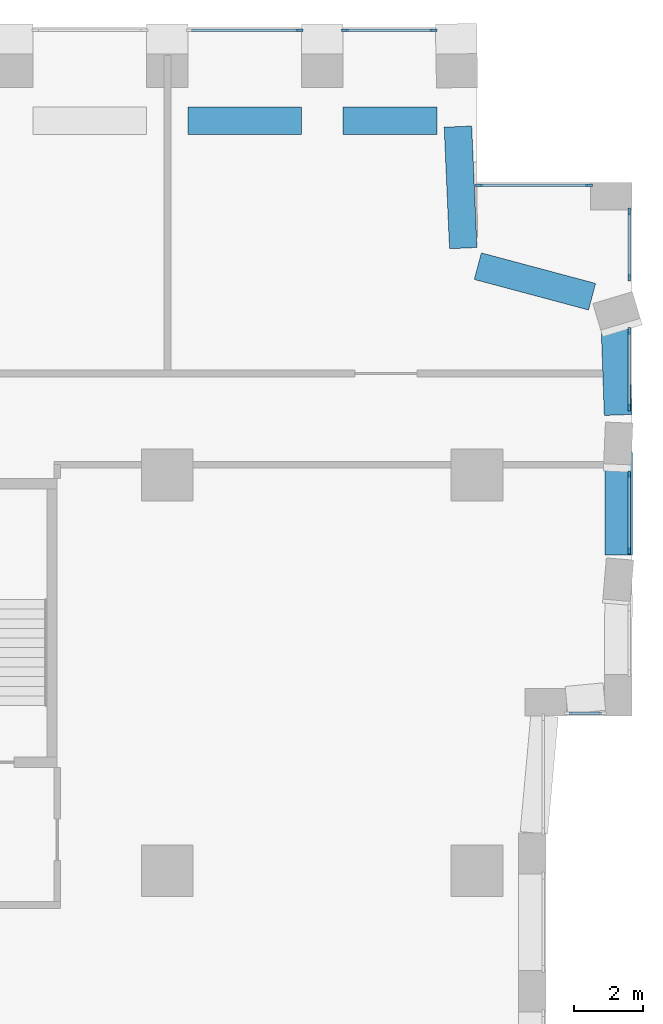
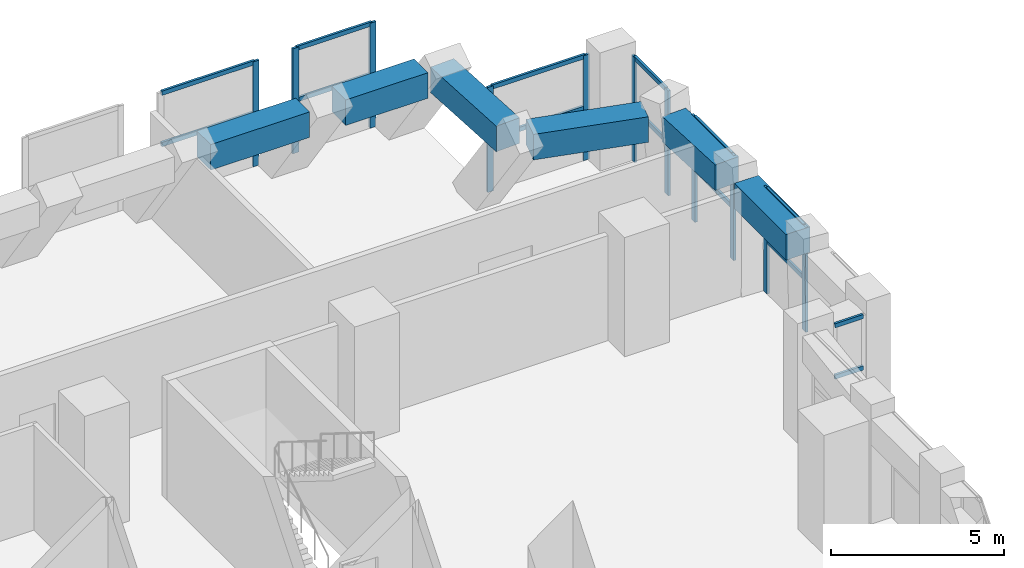
# One storey, part 11 of 20: 25 members, 6 beams, 7 elements without a shape of their own.
"""IFC4 building model written with IfcOpenShell, lengths in metres."""

from ifc_helpers import new_model, si_unit, direction, frame, origin, origin_2d, place, context, subcontext, project, spatial, rectangle, extrude, material, layer, layer_set, material_profile, profile_set, type_object, element, aggregate, save


model = new_model("IFC4")

# Units and contexts
model_context = context("Model", 3, precision=1e-05, world=origin(), true_north=direction((0.0, 1.0)))
body_context = subcontext(model_context, "Body", "Model", "MODEL_VIEW")
ifc_project = project(units=[si_unit("LENGTHUNIT", "METRE"), si_unit("AREAUNIT", "SQUARE_METRE"), si_unit("VOLUMEUNIT", "CUBIC_METRE"), si_unit("PLANEANGLEUNIT", "RADIAN"), si_unit("MASSUNIT", "GRAM", prefix="KILO")], contexts=[model_context])

# Site, building, storey
site_placement = place(None, origin())
site = spatial("IfcSite", under=ifc_project, at=site_placement, CompositionType="ELEMENT")
building_placement = place(site_placement, origin())
building = spatial("IfcBuilding", under=site, at=building_placement, Name="Brigalow Station Residences", CompositionType="ELEMENT")
storey_placement = place(building_placement, frame((0.0, 0.0, 73.050048828125)))
storey = spatial("IfcBuildingStorey", under=building, at=storey_placement, Name="L21", CompositionType="ELEMENT", Elevation=73.050048828125)

# Beams
ifc_material_1 = material(Name="Concrete C65", Category="concrete")
ifc_material_profile_1 = material_profile(ifc_material_1, rectangle(XDim=0.800048828125, YDim=0.89990234375, at=origin_2d()), Name="RC800x900")
ifc_profile_set_1 = profile_set([ifc_material_profile_1], Name="Concrete C65")
beam_type = type_object("IfcBeamType", Name="KINK TIE BEAM 800x900 C65", PredefinedType="BEAM", material=ifc_profile_set_1)
beam_1_placement = place(storey_placement, frame((76.119384765625, 33.173095703125, 3.25), z_axis=(0.0, 1.0, 0.0), x_axis=(-1.0, 0.0, 0.0)))
element("IfcBeam", 1, at=beam_1_placement, inside=storey, type_object=beam_type, Name="KINK TIE BEAM 16 L21", PredefinedType="BEAM", context=body_context, shape_type="SweptSolid", body=[
    extrude(rectangle(XDim=0.800048828125, YDim=0.89990234375, at=origin_2d()), origin(), (0.0, 0.0, 1.0), 2.984375),
])
beam_2_placement = place(storey_placement, frame((76.10009765625, 37.24560546875, 3.25), z_axis=(-0.035501134168, 0.999369636057, 0.0), x_axis=(-0.999369636057, -0.035501134168, 0.0)))
element("IfcBeam", 2, at=beam_2_placement, inside=storey, type_object=beam_type, Name="KINK TIE BEAM 17 L21", PredefinedType="BEAM", context=body_context, shape_type="SweptSolid", body=[
    extrude(rectangle(XDim=0.800048828125, YDim=0.89990234375, at=origin_2d()), origin(), (0.0, 0.0, 1.0), 2.88134765625),
])
beam_3_placement = place(storey_placement, frame((75.344970703125, 40.6826171875, 3.25), z_axis=(-0.966079157229, 0.258246126723, 0.0), x_axis=(-0.258246126723, -0.966079157229, 0.0)))
element("IfcBeam", 3, at=beam_3_placement, inside=storey, type_object=beam_type, Name="KINK TIE BEAM 18 L21", PredefinedType="BEAM", context=body_context, shape_type="SweptSolid", body=[
    extrude(rectangle(XDim=0.800048828125, YDim=0.89990234375, at=origin_2d()), origin(), (0.0, 0.0, 1.0), 3.4375),
])
beam_4_placement = place(storey_placement, frame((71.60107421875, 42.09423828125, 3.25), z_axis=(-0.043775812751, 0.999041379633, 0.0), x_axis=(-0.999041379633, -0.043775812751, 0.0)))
element("IfcBeam", 4, at=beam_4_placement, inside=storey, type_object=beam_type, Name="KINK TIE BEAM 19 L21", PredefinedType="BEAM", context=body_context, shape_type="SweptSolid", body=[
    extrude(rectangle(XDim=0.800048828125, YDim=0.89990234375, at=origin_2d()), origin(), (0.0, 0.0, 1.0), 3.535888671875),
])
beam_5_placement = place(storey_placement, frame((70.838623046875, 45.7978515625, 3.25), z_axis=(-1.0, 0.0, 0.0), x_axis=(0.0, -1.0, 0.0)))
element("IfcBeam", 5, at=beam_5_placement, inside=storey, type_object=beam_type, Name="KINK TIE BEAM 20 L21", PredefinedType="BEAM", context=body_context, shape_type="SweptSolid", body=[
    extrude(rectangle(XDim=0.800048828125, YDim=0.89990234375, at=origin_2d()), origin(), (0.0, 0.0, 1.0), 2.738525390625),
])
beam_6_placement = place(storey_placement, frame((66.89990234375, 45.7978515625, 3.25), z_axis=(-1.0, 0.0, 0.0), x_axis=(0.0, -1.0, 0.0)))
element("IfcBeam", 6, at=beam_6_placement, inside=storey, type_object=beam_type, Name="KINK TIE BEAM 21 L21", PredefinedType="BEAM", context=body_context, shape_type="SweptSolid", body=[
    extrude(rectangle(XDim=0.800048828125, YDim=0.89990234375, at=origin_2d()), origin(), (0.0, 0.0, 1.0), 3.2998046875),
])

# Curtain wall, members
ifc_material_2 = material(Name="Aluminium", Category="aluminium")
ifc_layer = layer(ifc_material_2, 0.199951171875)
ifc_layer_set = layer_set([ifc_layer], Name="REFUGE FLOOR LOUVRE CURTAIN WALL")
curtain_wall_type = type_object("IfcCurtainWallType", Name="REFUGE FLOOR LOUVRE CURTAIN WALL", PredefinedType="NOTDEFINED", material=ifc_layer_set)
curtain_wall_1_placement = place(storey_placement, origin())
curtain_wall_1 = element("IfcCurtainWall", 7, at=curtain_wall_1_placement, inside=storey, type_object=curtain_wall_type, Name="L21/cw/louvre-W-L21-19-19", PredefinedType="NOTDEFINED")
ifc_material_3 = material(Name="Aluminium", Category="aluminium")
ifc_material_profile_2 = material_profile(ifc_material_3, rectangle(XDim=0.080078125, YDim=0.199951171875, at=origin_2d()), Name="REFUGE FLOOR LOUVRE MULLION 80x200")
ifc_profile_set_2 = profile_set([ifc_material_profile_2], Name="Aluminium")
member_type_1 = type_object("IfcMemberType", Name="REFUGE FLOOR LOUVRE MULLION 80x200", PredefinedType="MULLION", material=ifc_profile_set_2)
member_1_placement = place(storey_placement, frame((76.425048828125, 33.299072265625, 0.0), z_axis=(0.0, 0.0, 1.0), x_axis=(-1.0, 0.0, 0.0)))
member_1 = element("IfcMember", 8, at=member_1_placement, type_object=member_type_1, Name="L21/cw/louvre-W-L21-19-19/M00", PredefinedType="MULLION", context=body_context, shape_type="SweptSolid", body=[
    extrude(rectangle(XDim=0.080078125, YDim=0.199951171875, at=origin_2d()), origin(), (0.0, 0.0, 1.0), 3.699951171875),
])
member_2_placement = place(storey_placement, frame((76.425048828125, 35.5234375, 0.0), z_axis=(0.0, 0.0, 1.0), x_axis=(-1.0, 0.0, 0.0)))
member_2 = element("IfcMember", 9, at=member_2_placement, type_object=member_type_1, Name="L21/cw/louvre-W-L21-19-19/M01", PredefinedType="MULLION", context=body_context, shape_type="SweptSolid", body=[
    extrude(rectangle(XDim=0.080078125, YDim=0.199951171875, at=origin_2d()), origin(), (0.0, 0.0, 1.0), 3.699951171875),
])

curtain_wall_2_placement = place(storey_placement, origin())
curtain_wall_2 = element("IfcCurtainWall", 10, at=curtain_wall_2_placement, inside=storey, type_object=curtain_wall_type, Name="L21/cw/louvre-W-L21-19-20", PredefinedType="NOTDEFINED")
member_3_placement = place(storey_placement, frame((76.425048828125, 37.46337890625, 0.0), z_axis=(0.0, 0.0, 1.0), x_axis=(-1.0, 0.0, 0.0)))
member_3 = element("IfcMember", 11, at=member_3_placement, type_object=member_type_1, Name="L21/cw/louvre-W-L21-19-20/M00", PredefinedType="MULLION", context=body_context, shape_type="SweptSolid", body=[
    extrude(rectangle(XDim=0.080078125, YDim=0.199951171875, at=origin_2d()), origin(), (0.0, 0.0, 1.0), 3.699951171875),
])
member_4_placement = place(storey_placement, frame((76.425048828125, 39.68896484375, 0.0), z_axis=(0.0, 0.0, 1.0), x_axis=(-1.0, 0.0, 0.0)))
member_4 = element("IfcMember", 12, at=member_4_placement, type_object=member_type_1, Name="L21/cw/louvre-W-L21-19-20/M01", PredefinedType="MULLION", context=body_context, shape_type="SweptSolid", body=[
    extrude(rectangle(XDim=0.080078125, YDim=0.199951171875, at=origin_2d()), origin(), (0.0, 0.0, 1.0), 3.699951171875),
])

curtain_wall_3_placement = place(storey_placement, origin())
curtain_wall_3 = element("IfcCurtainWall", 13, at=curtain_wall_3_placement, inside=storey, type_object=curtain_wall_type, Name="L21/cw/louvre-W-L21-19-21", PredefinedType="NOTDEFINED")
member_5_placement = place(storey_placement, frame((76.425048828125, 41.236083984375, 0.0), z_axis=(0.0, 0.0, 1.0), x_axis=(-1.0, 0.0, 0.0)))
member_5 = element("IfcMember", 14, at=member_5_placement, type_object=member_type_1, Name="L21/cw/louvre-W-L21-19-21/M00", PredefinedType="MULLION", context=body_context, shape_type="SweptSolid", body=[
    extrude(rectangle(XDim=0.080078125, YDim=0.199951171875, at=origin_2d()), origin(), (0.0, 0.0, 1.0), 3.699951171875),
])
member_6_placement = place(storey_placement, frame((76.425048828125, 43.159912109375, 0.0), z_axis=(0.0, 0.0, 1.0), x_axis=(-1.0, 0.0, 0.0)))
member_6 = element("IfcMember", 15, at=member_6_placement, type_object=member_type_1, Name="L21/cw/louvre-W-L21-19-21/M01", PredefinedType="MULLION", context=body_context, shape_type="SweptSolid", body=[
    extrude(rectangle(XDim=0.080078125, YDim=0.199951171875, at=origin_2d()), origin(), (0.0, 0.0, 1.0), 3.699951171875),
])

curtain_wall_4_placement = place(storey_placement, origin())
curtain_wall_4 = element("IfcCurtainWall", 16, at=curtain_wall_4_placement, inside=storey, type_object=curtain_wall_type, Name="L21/cw/louvre-W-L21-23-22", PredefinedType="NOTDEFINED")
member_7_placement = place(storey_placement, frame((75.260009765625, 43.925048828125, 0.0), z_axis=(0.0, 0.0, 1.0), x_axis=(0.0, -1.0, 0.0)))
member_7 = element("IfcMember", 17, at=member_7_placement, type_object=member_type_1, Name="L21/cw/louvre-W-L21-23-22/M00", PredefinedType="MULLION", context=body_context, shape_type="SweptSolid", body=[
    extrude(rectangle(XDim=0.080078125, YDim=0.199951171875, at=origin_2d()), origin(), (0.0, 0.0, 1.0), 3.699951171875),
])
member_8_placement = place(storey_placement, frame((72.060546875, 43.925048828125, 0.0), z_axis=(0.0, 0.0, 1.0), x_axis=(0.0, -1.0, 0.0)))
member_8 = element("IfcMember", 18, at=member_8_placement, type_object=member_type_1, Name="L21/cw/louvre-W-L21-23-22/M01", PredefinedType="MULLION", context=body_context, shape_type="SweptSolid", body=[
    extrude(rectangle(XDim=0.080078125, YDim=0.199951171875, at=origin_2d()), origin(), (0.0, 0.0, 1.0), 3.699951171875),
])

curtain_wall_5_placement = place(storey_placement, origin())
curtain_wall_5 = element("IfcCurtainWall", 19, at=curtain_wall_5_placement, inside=storey, type_object=curtain_wall_type, Name="L21/cw/louvre-W-L21-25-23", PredefinedType="NOTDEFINED")
member_9_placement = place(storey_placement, frame((70.734375, 48.425048828125, 0.0), z_axis=(0.0, 0.0, 1.0), x_axis=(0.0, -1.0, 0.0)))
member_9 = element("IfcMember", 20, at=member_9_placement, type_object=member_type_1, Name="L21/cw/louvre-W-L21-25-23/M00", PredefinedType="MULLION", context=body_context, shape_type="SweptSolid", body=[
    extrude(rectangle(XDim=0.080078125, YDim=0.199951171875, at=origin_2d()), origin(), (0.0, 0.0, 1.0), 3.699951171875),
])
member_10_placement = place(storey_placement, frame((68.159912109375, 48.425048828125, 0.0), z_axis=(0.0, 0.0, 1.0), x_axis=(0.0, -1.0, 0.0)))
member_10 = element("IfcMember", 21, at=member_10_placement, type_object=member_type_1, Name="L21/cw/louvre-W-L21-25-23/M01", PredefinedType="MULLION", context=body_context, shape_type="SweptSolid", body=[
    extrude(rectangle(XDim=0.080078125, YDim=0.199951171875, at=origin_2d()), origin(), (0.0, 0.0, 1.0), 3.699951171875),
])

# Curtain wall, member
curtain_wall_6_placement = place(storey_placement, origin())
curtain_wall_6 = element("IfcCurtainWall", 22, at=curtain_wall_6_placement, inside=storey, type_object=curtain_wall_type, Name="L21/cw/louvre-W-L21-25-24", PredefinedType="NOTDEFINED")
member_11_placement = place(storey_placement, frame((66.840087890625, 48.425048828125, 0.0), z_axis=(0.0, 0.0, 1.0), x_axis=(0.0, -1.0, 0.0)))
member_11 = element("IfcMember", 23, at=member_11_placement, type_object=member_type_1, Name="L21/cw/louvre-W-L21-25-24/M00", PredefinedType="MULLION", context=body_context, shape_type="SweptSolid", body=[
    extrude(rectangle(XDim=0.080078125, YDim=0.199951171875, at=origin_2d()), origin(), (0.0, 0.0, 1.0), 3.699951171875),
])

# Curtain wall, members
curtain_wall_7_placement = place(storey_placement, origin())
curtain_wall_7 = element("IfcCurtainWall", 24, at=curtain_wall_7_placement, inside=storey, type_object=curtain_wall_type, Name="L21/cw/louvre-W-L21-18-17", PredefinedType="NOTDEFINED")
ifc_material_4 = material(Name="Aluminium", Category="aluminium")
ifc_material_profile_3 = material_profile(ifc_material_4, rectangle(XDim=0.080078125, YDim=0.14990234375, at=origin_2d()), Name="REFUGE FLOOR LOUVRE TRANSOM 80x150")
ifc_profile_set_3 = profile_set([ifc_material_profile_3], Name="Aluminium")
member_type_2 = type_object("IfcMemberType", Name="REFUGE FLOOR LOUVRE TRANSOM 80x150", PredefinedType="USERDEFINED", material=ifc_profile_set_3)
member_12_placement = place(storey_placement, frame((74.679931640625, 28.574951171875, 1.849853515625), z_axis=(1.0, 0.0, 0.0), x_axis=(0.0, 1.0, 0.0)))
member_12 = element("IfcMember", 25, at=member_12_placement, type_object=member_type_2, Name="L21/cw/louvre-W-L21-18-17/T00-00", ObjectType="TRANSOM", PredefinedType="USERDEFINED", context=body_context, shape_type="SweptSolid", body=[
    extrude(rectangle(XDim=0.080078125, YDim=0.14990234375, at=origin_2d()), origin(), (0.0, 0.0, 1.0), 0.940185546875),
])
member_13_placement = place(storey_placement, frame((74.679931640625, 28.574951171875, 3.659912109375), z_axis=(1.0, 0.0, 0.0), x_axis=(0.0, 1.0, 0.0)))
member_13 = element("IfcMember", 26, at=member_13_placement, type_object=member_type_2, Name="L21/cw/louvre-W-L21-18-17/T00-01", ObjectType="TRANSOM", PredefinedType="USERDEFINED", context=body_context, shape_type="SweptSolid", body=[
    extrude(rectangle(XDim=0.080078125, YDim=0.14990234375, at=origin_2d()), origin(), (0.0, 0.0, 1.0), 0.940185546875),
])
aggregate(curtain_wall_7, [member_12, member_13])

# Member
member_14_placement = place(storey_placement, frame((76.425048828125, 33.339111328125, 1.849853515625), z_axis=(0.0, 1.0, 0.0), x_axis=(-1.0, 0.0, 0.0)))
member_14 = element("IfcMember", 27, at=member_14_placement, type_object=member_type_2, Name="L21/cw/louvre-W-L21-19-19/T00-00", ObjectType="TRANSOM", PredefinedType="USERDEFINED", context=body_context, shape_type="SweptSolid", body=[
    extrude(rectangle(XDim=0.080078125, YDim=0.14990234375, at=origin_2d()), origin(), (0.0, 0.0, 1.0), 2.144287109375),
])

member_15_placement = place(storey_placement, frame((76.425048828125, 33.339111328125, 3.659912109375), z_axis=(0.0, 1.0, 0.0), x_axis=(-1.0, 0.0, 0.0)))
member_15 = element("IfcMember", 28, at=member_15_placement, type_object=member_type_2, Name="L21/cw/louvre-W-L21-19-19/T00-01", ObjectType="TRANSOM", PredefinedType="USERDEFINED", context=body_context, shape_type="SweptSolid", body=[
    extrude(rectangle(XDim=0.080078125, YDim=0.14990234375, at=origin_2d()), origin(), (0.0, 0.0, 1.0), 2.144287109375),
])

aggregate(curtain_wall_1, [member_1, member_2, member_14, member_15])

member_16_placement = place(storey_placement, frame((76.425048828125, 37.50341796875, 1.849853515625), z_axis=(0.0, 1.0, 0.0), x_axis=(-1.0, 0.0, 0.0)))
member_16 = element("IfcMember", 29, at=member_16_placement, type_object=member_type_2, Name="L21/cw/louvre-W-L21-19-20/T00-00", ObjectType="TRANSOM", PredefinedType="USERDEFINED", context=body_context, shape_type="SweptSolid", body=[
    extrude(rectangle(XDim=0.080078125, YDim=0.14990234375, at=origin_2d()), origin(), (0.0, 0.0, 1.0), 2.1455078125),
])

member_17_placement = place(storey_placement, frame((76.425048828125, 37.50341796875, 3.659912109375), z_axis=(0.0, 1.0, 0.0), x_axis=(-1.0, 0.0, 0.0)))
member_17 = element("IfcMember", 30, at=member_17_placement, type_object=member_type_2, Name="L21/cw/louvre-W-L21-19-20/T00-01", ObjectType="TRANSOM", PredefinedType="USERDEFINED", context=body_context, shape_type="SweptSolid", body=[
    extrude(rectangle(XDim=0.080078125, YDim=0.14990234375, at=origin_2d()), origin(), (0.0, 0.0, 1.0), 2.1455078125),
])

aggregate(curtain_wall_2, [member_3, member_4, member_16, member_17])

member_18_placement = place(storey_placement, frame((76.425048828125, 41.276123046875, 1.849853515625), z_axis=(0.0, 1.0, 0.0), x_axis=(-1.0, 0.0, 0.0)))
member_18 = element("IfcMember", 31, at=member_18_placement, type_object=member_type_2, Name="L21/cw/louvre-W-L21-19-21/T00-00", ObjectType="TRANSOM", PredefinedType="USERDEFINED", context=body_context, shape_type="SweptSolid", body=[
    extrude(rectangle(XDim=0.080078125, YDim=0.14990234375, at=origin_2d()), origin(), (0.0, 0.0, 1.0), 1.843994140625),
])

member_19_placement = place(storey_placement, frame((76.425048828125, 41.276123046875, 3.659912109375), z_axis=(0.0, 1.0, 0.0), x_axis=(-1.0, 0.0, 0.0)))
member_19 = element("IfcMember", 32, at=member_19_placement, type_object=member_type_2, Name="L21/cw/louvre-W-L21-19-21/T00-01", ObjectType="TRANSOM", PredefinedType="USERDEFINED", context=body_context, shape_type="SweptSolid", body=[
    extrude(rectangle(XDim=0.080078125, YDim=0.14990234375, at=origin_2d()), origin(), (0.0, 0.0, 1.0), 1.843994140625),
])

aggregate(curtain_wall_3, [member_5, member_6, member_18, member_19])

member_20_placement = place(storey_placement, frame((75.219970703125, 43.925048828125, 1.849853515625), z_axis=(-1.0, 0.0, 0.0), x_axis=(0.0, -1.0, 0.0)))
member_20 = element("IfcMember", 33, at=member_20_placement, type_object=member_type_2, Name="L21/cw/louvre-W-L21-23-22/T00-00", ObjectType="TRANSOM", PredefinedType="USERDEFINED", context=body_context, shape_type="SweptSolid", body=[
    extrude(rectangle(XDim=0.080078125, YDim=0.14990234375, at=origin_2d()), origin(), (0.0, 0.0, 1.0), 3.119384765625),
])

member_21_placement = place(storey_placement, frame((75.219970703125, 43.925048828125, 3.659912109375), z_axis=(-1.0, 0.0, 0.0), x_axis=(0.0, -1.0, 0.0)))
member_21 = element("IfcMember", 34, at=member_21_placement, type_object=member_type_2, Name="L21/cw/louvre-W-L21-23-22/T00-01", ObjectType="TRANSOM", PredefinedType="USERDEFINED", context=body_context, shape_type="SweptSolid", body=[
    extrude(rectangle(XDim=0.080078125, YDim=0.14990234375, at=origin_2d()), origin(), (0.0, 0.0, 1.0), 3.119384765625),
])

aggregate(curtain_wall_4, [member_7, member_8, member_20, member_21])

member_22_placement = place(storey_placement, frame((70.6943359375, 48.425048828125, 1.849853515625), z_axis=(-1.0, 0.0, 0.0), x_axis=(0.0, -1.0, 0.0)))
member_22 = element("IfcMember", 35, at=member_22_placement, type_object=member_type_2, Name="L21/cw/louvre-W-L21-25-23/T00-00", ObjectType="TRANSOM", PredefinedType="USERDEFINED", context=body_context, shape_type="SweptSolid", body=[
    extrude(rectangle(XDim=0.080078125, YDim=0.14990234375, at=origin_2d()), origin(), (0.0, 0.0, 1.0), 2.494384765625),
])

member_23_placement = place(storey_placement, frame((70.6943359375, 48.425048828125, 3.659912109375), z_axis=(-1.0, 0.0, 0.0), x_axis=(0.0, -1.0, 0.0)))
member_23 = element("IfcMember", 36, at=member_23_placement, type_object=member_type_2, Name="L21/cw/louvre-W-L21-25-23/T00-01", ObjectType="TRANSOM", PredefinedType="USERDEFINED", context=body_context, shape_type="SweptSolid", body=[
    extrude(rectangle(XDim=0.080078125, YDim=0.14990234375, at=origin_2d()), origin(), (0.0, 0.0, 1.0), 2.494384765625),
])

aggregate(curtain_wall_5, [member_9, member_10, member_22, member_23])

member_24_placement = place(storey_placement, frame((66.800048828125, 48.425048828125, 1.849853515625), z_axis=(-1.0, 0.0, 0.0), x_axis=(0.0, -1.0, 0.0)))
member_24 = element("IfcMember", 37, at=member_24_placement, type_object=member_type_2, Name="L21/cw/louvre-W-L21-25-24/T00-00", ObjectType="TRANSOM", PredefinedType="USERDEFINED", context=body_context, shape_type="SweptSolid", body=[
    extrude(rectangle(XDim=0.080078125, YDim=0.14990234375, at=origin_2d()), origin(), (0.0, 0.0, 1.0), 3.10009765625),
])

member_25_placement = place(storey_placement, frame((66.800048828125, 48.425048828125, 3.659912109375), z_axis=(-1.0, 0.0, 0.0), x_axis=(0.0, -1.0, 0.0)))
member_25 = element("IfcMember", 38, at=member_25_placement, type_object=member_type_2, Name="L21/cw/louvre-W-L21-25-24/T00-01", ObjectType="TRANSOM", PredefinedType="USERDEFINED", context=body_context, shape_type="SweptSolid", body=[
    extrude(rectangle(XDim=0.080078125, YDim=0.14990234375, at=origin_2d()), origin(), (0.0, 0.0, 1.0), 3.10009765625),
])

aggregate(curtain_wall_6, [member_11, member_24, member_25])

save(model, "model.ifc")
